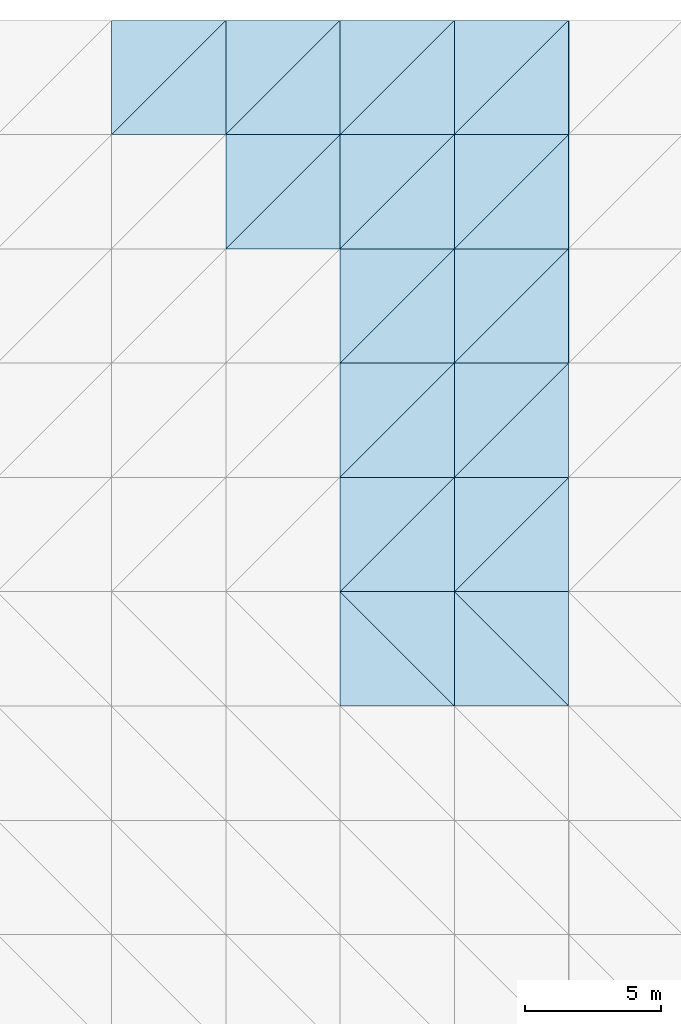
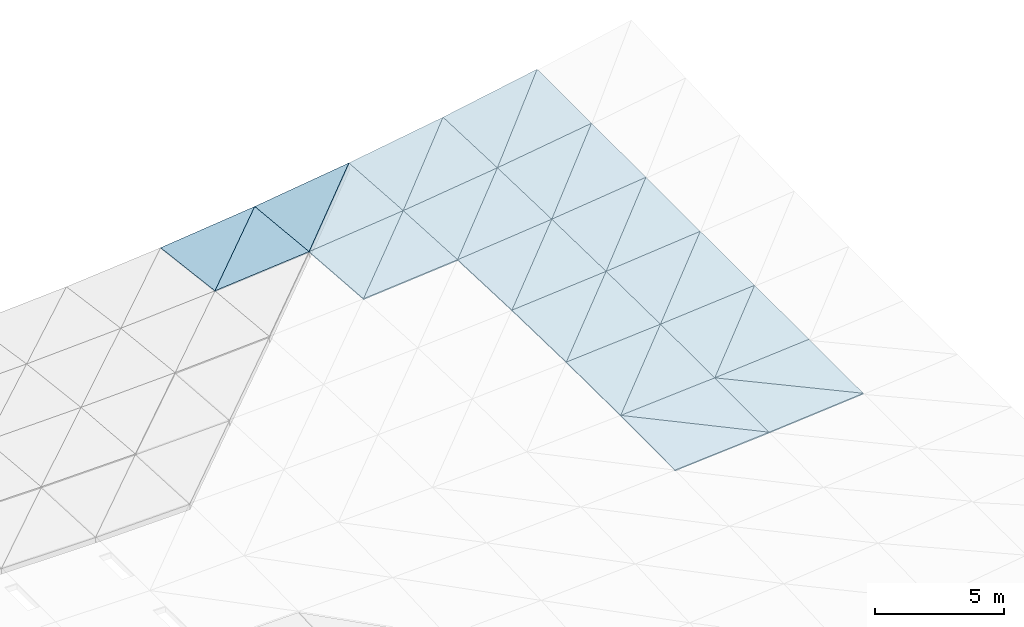
# One storey, part 53 of 64: 30 roofs.
"""IFC4 building model written with IfcOpenShell, lengths in metres."""

from ifc_helpers import new_model, si_unit, direction, frame, origin, place, context, subcontext, project, spatial, polyline, outline, extrude, material, layer, layer_set, type_object, element, save


model = new_model("IFC4")

# Units and contexts
model_context = context("Model", 3, precision=1e-05, world=origin(), true_north=direction((0.0, 1.0)))
body_context = subcontext(model_context, "Body", "Model", "MODEL_VIEW")
ifc_project = project(units=[si_unit("LENGTHUNIT", "METRE"), si_unit("AREAUNIT", "SQUARE_METRE"), si_unit("VOLUMEUNIT", "CUBIC_METRE"), si_unit("PLANEANGLEUNIT", "RADIAN"), si_unit("MASSUNIT", "GRAM", prefix="KILO")], contexts=[model_context])

# Site, building, storey
site_placement = place(None, origin())
site = spatial("IfcSite", under=ifc_project, at=site_placement, CompositionType="ELEMENT")
building_placement = place(site_placement, origin())
building = spatial("IfcBuilding", under=site, at=building_placement, Name="Cumbredor Promenade Congress Hotel", CompositionType="ELEMENT")
storey_placement = place(building_placement, frame((0.0, 0.0, 18.47998046875)))
storey = spatial("IfcBuildingStorey", under=building, at=storey_placement, Name="L05", CompositionType="ELEMENT", Elevation=18.47998046875)

# Roofs
ifc_material = material(Name="Standing-seam zinc-aluminium roofing", Category="aluminium")
ifc_layer = layer(ifc_material, 0.050048828125, Name="Standing-seam zinc-aluminium roofing", Category="aluminium")
ifc_layer_set = layer_set([ifc_layer], Name="Standing-seam zinc-aluminium roofing")
roof_type = type_object("IfcRoofType", Name="Sweeping Pavilion Standing-Seam Roof Skin 50mm", PredefinedType="FREEFORM", material=ifc_layer_set)
roof_1_placement = place(storey_placement, frame((151.199951171875, 117.60009765625, 1.12890625), z_axis=(-0.089588796915, 0.098230803049, 0.991122876741), x_axis=(0.995939579594, 0.0, 0.090024184518)))
element("IfcRoof", 1, at=roof_1_placement, inside=storey, type_object=roof_type, Name="Pre-Function and Breakout Meeting Forum Standing-Seam Roof Skin 16.10.1", PredefinedType="FREEFORM", context=body_context, shape_type="SweptSolid", body=[
    extrude(outline(polyline([(0.0, 0.0), (4.21707426627955, 6.938893903907228e-18), (4.179600820331373, 4.220362280594064), (0.0, 0.0)])), origin(), (0.0, 0.0, -1.0), 0.050048828125),
])
roof_2_placement = place(storey_placement, frame((151.199951171875, 117.60009765625, 1.12890625), z_axis=(-0.111811538956, 0.120412426568, 0.986407130593), x_axis=(0.707093341573, 0.707093341573, -0.006165436333)))
element("IfcRoof", 2, at=roof_2_placement, inside=storey, type_object=roof_type, Name="Pre-Function and Breakout Meeting Forum Standing-Seam Roof Skin 16.10.2", PredefinedType="FREEFORM", context=body_context, shape_type="SweptSolid", body=[
    extrude(outline(polyline([(0.0, 0.0), (5.939740802154233, 2.498001805406602e-16), (2.972918498873566, 3.010681306390466), (0.0, 0.0)])), origin(), (0.0, 0.0, -1.0), 0.050048828125),
])
roof_3_placement = place(storey_placement, frame((155.39990234375, 113.39990234375, 1.832275390625), z_axis=(-0.088162420028, 0.054978663243, 0.994587720758), x_axis=(0.996094283967, 0.0, 0.088295965069)))
element("IfcRoof", 3, at=roof_3_placement, inside=storey, type_object=roof_type, Name="Pre-Function and Breakout Meeting Forum Standing-Seam Roof Skin 17.9.1", PredefinedType="FREEFORM", context=body_context, shape_type="SweptSolid", body=[
    extrude(outline(polyline([(0.0, 0.0), (4.216664406275741, 0.0), (4.196164049151523, 4.206557606742628), (0.0, 0.0)])), origin(), (0.0, 0.0, -1.0), 0.050048828125),
])
roof_4_placement = place(storey_placement, frame((155.39990234375, 113.39990234375, 1.832275390625), z_axis=(-0.109451309825, 0.076385493067, 0.991052807486), x_axis=(0.706910079229, 0.706910079229, 0.023585583904)))
element("IfcRoof", 4, at=roof_4_placement, inside=storey, type_object=roof_type, Name="Pre-Function and Breakout Meeting Forum Standing-Seam Roof Skin 17.9.2", PredefinedType="FREEFORM", context=body_context, shape_type="SweptSolid", body=[
    extrude(outline(polyline([(0.0, 0.0), (5.941626008613801, 1.491862189340054e-16), (2.9615250290050166, 2.9959658846724047), (0.0, 0.0)])), origin(), (0.0, 0.0, -1.0), 0.050048828125),
])
roof_5_placement = place(storey_placement, frame((155.39990234375, 117.60009765625, 1.508544921875), z_axis=(-0.109499433655, 0.070429519012, 0.991488556102), x_axis=(0.993956791172, 0.0, 0.109772024135)))
element("IfcRoof", 5, at=roof_5_placement, inside=storey, type_object=roof_type, Name="Pre-Function and Breakout Meeting Forum Standing-Seam Roof Skin 17.10.1", PredefinedType="FREEFORM", context=body_context, shape_type="SweptSolid", body=[
    extrude(outline(polyline([(0.0, 0.0), (4.225732295210634, 0.0), (4.19298292668193, 4.210406629693138), (0.0, 0.0)])), origin(), (0.0, 0.0, -1.0), 0.050048828125),
])
roof_6_placement = place(storey_placement, frame((155.39990234375, 117.60009765625, 1.508544921875), z_axis=(-0.136547890512, 0.097703603302, 0.985803570443), x_axis=(0.706852915439, 0.706811828894, 0.027856677323)))
element("IfcRoof", 6, at=roof_6_placement, inside=storey, type_object=roof_type, Name="Pre-Function and Breakout Meeting Forum Standing-Seam Roof Skin 17.10.2", PredefinedType="FREEFORM", context=body_context, shape_type="SweptSolid", body=[
    extrude(outline(polyline([(0.0, 0.0), (5.942106512913589, 3.365363543395006e-16), (2.9569795550845583, 3.011500282155771), (0.0, 0.0)])), origin(), (0.0, 0.0, -1.0), 0.050048828125),
])
roof_7_placement = place(storey_placement, frame((159.60009765625, 96.60009765625, 2.469970703125), z_axis=(-0.075062849528, -0.00788304829, 0.997147645121), x_axis=(0.997178629164, 0.0, 0.075065181931)))
element("IfcRoof", 7, at=roof_7_placement, inside=storey, type_object=roof_type, Name="Pre-Function and Breakout Meeting Forum Standing-Seam Roof Skin 18.5.1", PredefinedType="FREEFORM", context=body_context, shape_type="SweptSolid", body=[
    extrude(outline(polyline([(0.0, 0.0), (4.2118343183865425, -4.336808689942018e-19), (0.0024923986188191694, 4.200081675585974), (0.0, 0.0)])), origin(), (0.0, 0.0, -1.0), 0.050048828125),
])
roof_8_placement = place(storey_placement, frame((163.800048828125, 96.60009765625, 2.7861328125), z_axis=(-0.071431830066, -0.004232567853, 0.997436503755), x_axis=(0.0, 0.999990996705, 0.004243407706)))
element("IfcRoof", 8, at=roof_8_placement, inside=storey, type_object=roof_type, Name="Pre-Function and Breakout Meeting Forum Standing-Seam Roof Skin 18.5.2", PredefinedType="FREEFORM", context=body_context, shape_type="SweptSolid", body=[
    extrude(outline(polyline([(0.0, 0.0), (4.199988985614866, 2.168404344971009e-19), (4.198712648140916, 4.210707491318816), (0.0, 0.0)])), origin(), (0.0, 0.0, -1.0), 0.050048828125),
])
roof_9_placement = place(storey_placement, frame((159.60009765625, 100.800048828125, 2.503173828125), z_axis=(-0.071431830066, 0.004232567853, 0.997436503755), x_axis=(0.997445438228, 0.0, 0.071432469912)))
element("IfcRoof", 9, at=roof_9_placement, inside=storey, type_object=roof_type, Name="Pre-Function and Breakout Meeting Forum Standing-Seam Roof Skin 18.6.1", PredefinedType="FREEFORM", context=body_context, shape_type="SweptSolid", body=[
    extrude(outline(polyline([(0.0, 0.0), (4.210707684758674, 0.0), (4.209434596305652, 4.199988792667426), (0.0, 0.0)])), origin(), (0.0, 0.0, -1.0), 0.050048828125),
])
roof_10_placement = place(storey_placement, frame((159.60009765625, 100.800048828125, 2.503173828125), z_axis=(-0.075062849528, 0.00788304829, 0.997147645121), x_axis=(0.706305758067, 0.706305758067, 0.047585210347)))
element("IfcRoof", 10, at=roof_10_placement, inside=storey, type_object=roof_type, Name="Pre-Function and Breakout Meeting Forum Standing-Seam Roof Skin 18.6.2", PredefinedType="FREEFORM", context=body_context, shape_type="SweptSolid", body=[
    extrude(outline(polyline([(0.0, 0.0), (5.946364055379297, 4.163336342344337e-17), (2.9648697186068187, 2.9749352674188194), (0.0, 0.0)])), origin(), (0.0, 0.0, -1.0), 0.050048828125),
])
roof_11_placement = place(storey_placement, frame((159.60009765625, 105.0, 2.469970703125), z_axis=(-0.075059244289, 0.012577494989, 0.997099752516), x_axis=(0.997178629164, 0.0, 0.075065181931)))
element("IfcRoof", 11, at=roof_11_placement, inside=storey, type_object=roof_type, Name="Pre-Function and Breakout Meeting Forum Standing-Seam Roof Skin 18.7.1", PredefinedType="FREEFORM", context=body_context, shape_type="SweptSolid", body=[
    extrude(outline(polyline([(0.0, 0.0), (4.2118343183865425, 0.0), (4.207857476472692, 4.200283413530617), (0.0, 0.0)])), origin(), (0.0, 0.0, -1.0), 0.050048828125),
])
roof_12_placement = place(storey_placement, frame((159.60009765625, 105.0, 2.469970703125), z_axis=(-0.086035794865, 0.023622210165, 0.99601196438), x_axis=(0.706413650347, 0.706413650347, 0.044266343956)))
element("IfcRoof", 12, at=roof_12_placement, inside=storey, type_object=roof_type, Name="Pre-Function and Breakout Meeting Forum Standing-Seam Roof Skin 18.7.2", PredefinedType="FREEFORM", context=body_context, shape_type="SweptSolid", body=[
    extrude(outline(polyline([(0.0, 0.0), (5.945455852690148, -1.8388068845354155e-16), (2.9624934957478404, 2.9787823286325934), (0.0, 0.0)])), origin(), (0.0, 0.0, -1.0), 0.050048828125),
])
roof_13_placement = place(storey_placement, frame((159.60009765625, 109.199951171875, 2.370361328125), z_axis=(-0.086040902939, 0.020960166126, 0.996071099098), x_axis=(0.996289972461, 0.0, 0.086059809282)))
element("IfcRoof", 13, at=roof_13_placement, inside=storey, type_object=roof_type, Name="Pre-Function and Breakout Meeting Forum Standing-Seam Roof Skin 18.8.1", PredefinedType="FREEFORM", context=body_context, shape_type="SweptSolid", body=[
    extrude(outline(polyline([(0.0, 0.0), (4.215591131064376, 2.6020852139652106e-18), (4.207985259247955, 4.200874055231607), (0.0, 0.0)])), origin(), (0.0, 0.0, -1.0), 0.050048828125),
])
roof_14_placement = place(storey_placement, frame((159.60009765625, 109.199951171875, 2.370361328125), z_axis=(-0.104156150302, 0.039224640075, 0.993787162307), x_axis=(0.706353330755, 0.706353330755, 0.046151319175)))
element("IfcRoof", 14, at=roof_14_placement, inside=storey, type_object=roof_type, Name="Pre-Function and Breakout Meeting Forum Standing-Seam Roof Skin 18.8.2", PredefinedType="FREEFORM", context=body_context, shape_type="SweptSolid", body=[
    extrude(outline(polyline([(0.0, 0.0), (5.945963569512188, -1.6306400674181987e-16), (2.9589989265782908, 2.9851960377292817), (0.0, 0.0)])), origin(), (0.0, 0.0, -1.0), 0.050048828125),
])
roof_15_placement = place(storey_placement, frame((159.60009765625, 113.39990234375, 2.20458984375), z_axis=(-0.104191626077, 0.029296774213, 0.994125648033), x_axis=(0.99455255237, 0.0, 0.104236368768)))
element("IfcRoof", 15, at=roof_15_placement, inside=storey, type_object=roof_type, Name="Pre-Function and Breakout Meeting Forum Standing-Seam Roof Skin 18.9.1", PredefinedType="FREEFORM", context=body_context, shape_type="SweptSolid", body=[
    extrude(outline(polyline([(0.0, 0.0), (4.222955500808863, -1.734723475976807e-18), (4.210053196373902, 4.201998989531306), (0.0, 0.0)])), origin(), (0.0, 0.0, -1.0), 0.050048828125),
])
roof_16_placement = place(storey_placement, frame((159.60009765625, 113.39990234375, 2.20458984375), z_axis=(-0.129322479691, 0.054730097694, 0.990091062808), x_axis=(0.706085156724, 0.706126201027, 0.053193417608)))
element("IfcRoof", 16, at=roof_16_placement, inside=storey, type_object=roof_type, Name="Pre-Function and Breakout Meeting Forum Standing-Seam Roof Skin 18.9.2", PredefinedType="FREEFORM", context=body_context, shape_type="SweptSolid", body=[
    extrude(outline(polyline([(0.0, 0.0), (5.9482218708047725, -3.191891195797325e-16), (2.953517632405157, 2.995376563732566), (0.0, 0.0)])), origin(), (0.0, 0.0, -1.0), 0.050048828125),
])
roof_17_placement = place(storey_placement, frame((159.60009765625, 117.60009765625, 1.972412109375), z_axis=(-0.129425237007, 0.037554630409, 0.990877771353), x_axis=(0.99157725369, 0.0, 0.129516601118)))
element("IfcRoof", 17, at=roof_17_placement, inside=storey, type_object=roof_type, Name="Pre-Function and Breakout Meeting Forum Standing-Seam Roof Skin 18.10.1", PredefinedType="FREEFORM", context=body_context, shape_type="SweptSolid", body=[
    extrude(outline(polyline([(0.0, 0.0), (4.235626781722741, -3.469446951953614e-18), (4.215010369630644, 4.2029160094628635), (0.0, 0.0)])), origin(), (0.0, 0.0, -1.0), 0.050048828125),
])
roof_18_placement = place(storey_placement, frame((159.60009765625, 117.60009765625, 1.972412109375), z_axis=(-0.16120267828, 0.069928886354, 0.984440779005), x_axis=(0.705592031903, 0.705592031903, 0.065419943666)))
element("IfcRoof", 18, at=roof_18_placement, inside=storey, type_object=roof_type, Name="Pre-Function and Breakout Meeting Forum Standing-Seam Roof Skin 18.10.2", PredefinedType="FREEFORM", context=body_context, shape_type="SweptSolid", body=[
    extrude(outline(polyline([(0.0, 0.0), (5.952378969680366, 2.7755575615628914e-16), (2.9439347054863183, 3.01028984623344), (0.0, 0.0)])), origin(), (0.0, 0.0, -1.0), 0.050048828125),
])
roof_19_placement = place(storey_placement, frame((163.800048828125, 96.60009765625, 2.7861328125), z_axis=(-0.086576364043, -0.004227474632, 0.996236247909), x_axis=(0.996245150167, 0.0, 0.086577137679)))
element("IfcRoof", 19, at=roof_19_placement, inside=storey, type_object=roof_type, Name="Pre-Function and Breakout Meeting Forum Standing-Seam Roof Skin 19.5.1", PredefinedType="FREEFORM", context=body_context, shape_type="SweptSolid", body=[
    extrude(outline(polyline([(0.0, 0.0), (4.215780795691743, 0.0), (0.0015430007447754164, 4.199988702179437), (0.0, 0.0)])), origin(), (0.0, 0.0, -1.0), 0.050048828125),
])
roof_20_placement = place(storey_placement, frame((168.0, 96.60009765625, 3.151123046875), z_axis=(-0.08237904561, 0.0, 0.99660107006), x_axis=(0.0, 1.0, 0.0)))
element("IfcRoof", 20, at=roof_20_placement, inside=storey, type_object=roof_type, Name="Pre-Function and Breakout Meeting Forum Standing-Seam Roof Skin 19.5.2", PredefinedType="FREEFORM", context=body_context, shape_type="SweptSolid", body=[
    extrude(outline(polyline([(0.0, 0.0), (4.199951171875, 0.0), (4.199951171875, 4.214275198021623), (0.0, 0.0)])), origin(), (0.0, 0.0, -1.0), 0.050048828125),
])
roof_21_placement = place(storey_placement, frame((163.800048828125, 100.800048828125, 2.803955078125), z_axis=(-0.08237904561, 0.0, 0.99660107006), x_axis=(0.99660107006, 0.0, 0.08237904561)))
element("IfcRoof", 21, at=roof_21_placement, inside=storey, type_object=roof_type, Name="Pre-Function and Breakout Meeting Forum Standing-Seam Roof Skin 19.6.1", PredefinedType="FREEFORM", context=body_context, shape_type="SweptSolid", body=[
    extrude(outline(polyline([(0.0, 0.0), (4.214275198021623, 0.0), (4.214275198021623, 4.199951171875), (0.0, 0.0)])), origin(), (0.0, 0.0, -1.0), 0.050048828125),
])
roof_22_placement = place(storey_placement, frame((163.800048828125, 100.800048828125, 2.803955078125), z_axis=(-0.086576364043, 0.004227474632, 0.996236247909), x_axis=(0.705902009393, 0.705902009393, 0.058349860917)))
element("IfcRoof", 22, at=roof_22_placement, inside=storey, type_object=roof_type, Name="Pre-Function and Breakout Meeting Forum Standing-Seam Roof Skin 19.6.2", PredefinedType="FREEFORM", context=body_context, shape_type="SweptSolid", body=[
    extrude(outline(polyline([(0.0, 0.0), (5.9497651458519245, 2.8796409701215e-16), (2.9637140448597945, 2.975954727408835), (0.0, 0.0)])), origin(), (0.0, 0.0, -1.0), 0.050048828125),
])
roof_23_placement = place(storey_placement, frame((163.800048828125, 105.0, 2.7861328125), z_axis=(-0.086577137099, -0.000115822257, 0.996245143485), x_axis=(0.996245150167, 0.0, 0.086577137679)))
element("IfcRoof", 23, at=roof_23_placement, inside=storey, type_object=roof_type, Name="Pre-Function and Breakout Meeting Forum Standing-Seam Roof Skin 19.7.1", PredefinedType="FREEFORM", context=body_context, shape_type="SweptSolid", body=[
    extrude(outline(polyline([(0.0, 0.0), (4.215780795691743, -6.776263578034403e-21), (4.215823069684751, 4.199951200045743), (0.0, 0.0)])), origin(), (0.0, 0.0, -1.0), 0.050048828125),
])
roof_24_placement = place(storey_placement, frame((163.800048828125, 105.0, 2.7861328125), z_axis=(-0.099135100471, 0.012550943292, 0.99499482696), x_axis=(0.705771941474, 0.705771941474, 0.061416066755)))
element("IfcRoof", 24, at=roof_24_placement, inside=storey, type_object=roof_type, Name="Pre-Function and Breakout Meeting Forum Standing-Seam Roof Skin 19.7.2", PredefinedType="FREEFORM", context=body_context, shape_type="SweptSolid", body=[
    extrude(outline(polyline([(0.0, 0.0), (5.950861638254735, 5.238864897449957e-16), (2.9609539606185833, 2.9791186972574866), (0.0, 0.0)])), origin(), (0.0, 0.0, -1.0), 0.050048828125),
])
roof_25_placement = place(storey_placement, frame((163.800048828125, 109.199951171875, 2.733154296875), z_axis=(-0.099142906927, -0.000231372011, 0.995073178451), x_axis=(0.995073205086, 0.0, 0.099142909581)))
element("IfcRoof", 25, at=roof_25_placement, inside=storey, type_object=roof_type, Name="Pre-Function and Breakout Meeting Forum Standing-Seam Roof Skin 19.8.1", PredefinedType="FREEFORM", context=body_context, shape_type="SweptSolid", body=[
    extrude(outline(polyline([(0.0, 0.0), (4.220745921414454, 0.0), (4.220842740662092, 4.1999512842930145), (0.0, 0.0)])), origin(), (0.0, 0.0, -1.0), 0.050048828125),
])
roof_26_placement = place(storey_placement, frame((163.800048828125, 109.199951171875, 2.733154296875), z_axis=(-0.120008746289, 0.020886137575, 0.992553106927), x_axis=(0.705350304462, 0.705350304462, 0.070440726796)))
element("IfcRoof", 26, at=roof_26_placement, inside=storey, type_object=roof_type, Name="Pre-Function and Breakout Meeting Forum Standing-Seam Roof Skin 19.8.2", PredefinedType="FREEFORM", context=body_context, shape_type="SweptSolid", body=[
    extrude(outline(polyline([(0.0, 0.0), (5.954418882799095, -6.938893903907228e-18), (2.9562113634167675, 2.9846633063060417), (0.0, 0.0)])), origin(), (0.0, 0.0, -1.0), 0.050048828125),
])
roof_27_placement = place(storey_placement, frame((163.800048828125, 113.39990234375, 2.644775390625), z_axis=(-0.120034927411, -0.000230822981, 0.992769642426), x_axis=(0.992769668873, 0.0, 0.120034930608)))
element("IfcRoof", 27, at=roof_27_placement, inside=storey, type_object=roof_type, Name="Pre-Function and Breakout Meeting Forum Standing-Seam Roof Skin 19.9.1", PredefinedType="FREEFORM", context=body_context, shape_type="SweptSolid", body=[
    extrude(outline(polyline([(0.0, 0.0), (4.230539372383909, 0.0), (4.230656593995831, 4.200195424391629), (0.0, 0.0)])), origin(), (0.0, 0.0, -1.0), 0.050048828125),
])
roof_28_placement = place(storey_placement, frame((163.800048828125, 113.39990234375, 2.644775390625), z_axis=(-0.148870309727, 0.029128853663, 0.988427610281), x_axis=(0.704506392409, 0.70454734494, 0.0853450748)))
element("IfcRoof", 28, at=roof_28_placement, inside=storey, type_object=roof_type, Name="Pre-Function and Breakout Meeting Forum Standing-Seam Roof Skin 19.9.2", PredefinedType="FREEFORM", context=body_context, shape_type="SweptSolid", body=[
    extrude(outline(polyline([(0.0, 0.0), (5.961551544640103, -3.7470027081099033e-16), (2.9486725023014553, 2.9937088121013242), (0.0, 0.0)])), origin(), (0.0, 0.0, -1.0), 0.050048828125),
])
roof_29_placement = place(storey_placement, frame((163.800048828125, 117.60009765625, 2.52099609375), z_axis=(-0.148933498583, -0.000344886527, 0.98884715404), x_axis=(0.98884721285, 0.0, 0.14893350744)))
element("IfcRoof", 29, at=roof_29_placement, inside=storey, type_object=roof_type, Name="Pre-Function and Breakout Meeting Forum Standing-Seam Roof Skin 19.10.1", PredefinedType="FREEFORM", context=body_context, shape_type="SweptSolid", body=[
    extrude(outline(polyline([(0.0, 0.0), (4.247320634872833, -2.710505431213761e-20), (4.247538799190373, 4.199951421660223), (0.0, 0.0)])), origin(), (0.0, 0.0, -1.0), 0.050048828125),
])
roof_30_placement = place(storey_placement, frame((163.800048828125, 117.60009765625, 2.52099609375), z_axis=(-0.185453085958, 0.037216193304, 0.981948118724), x_axis=(0.703112227506, 0.703112227506, 0.106143257271)))
element("IfcRoof", 30, at=roof_30_placement, inside=storey, type_object=roof_type, Name="Pre-Function and Breakout Meeting Forum Standing-Seam Roof Skin 19.10.2", PredefinedType="FREEFORM", context=body_context, shape_type="SweptSolid", body=[
    extrude(outline(polyline([(0.0, 0.0), (5.9733723971416115, 4.0245584642661925e-16), (2.9361411733493727, 3.0073248958516867), (0.0, 0.0)])), origin(), (0.0, 0.0, -1.0), 0.050048828125),
])

save(model, "model.ifc")
